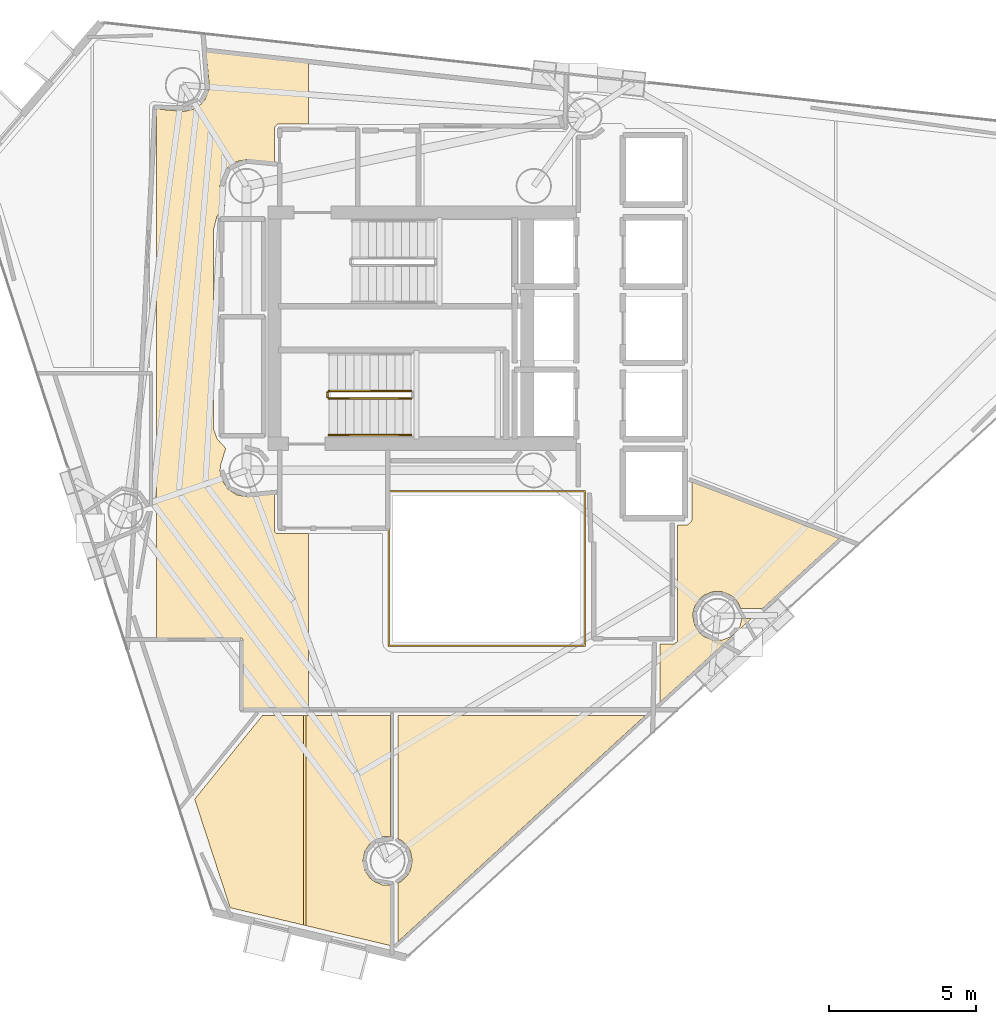
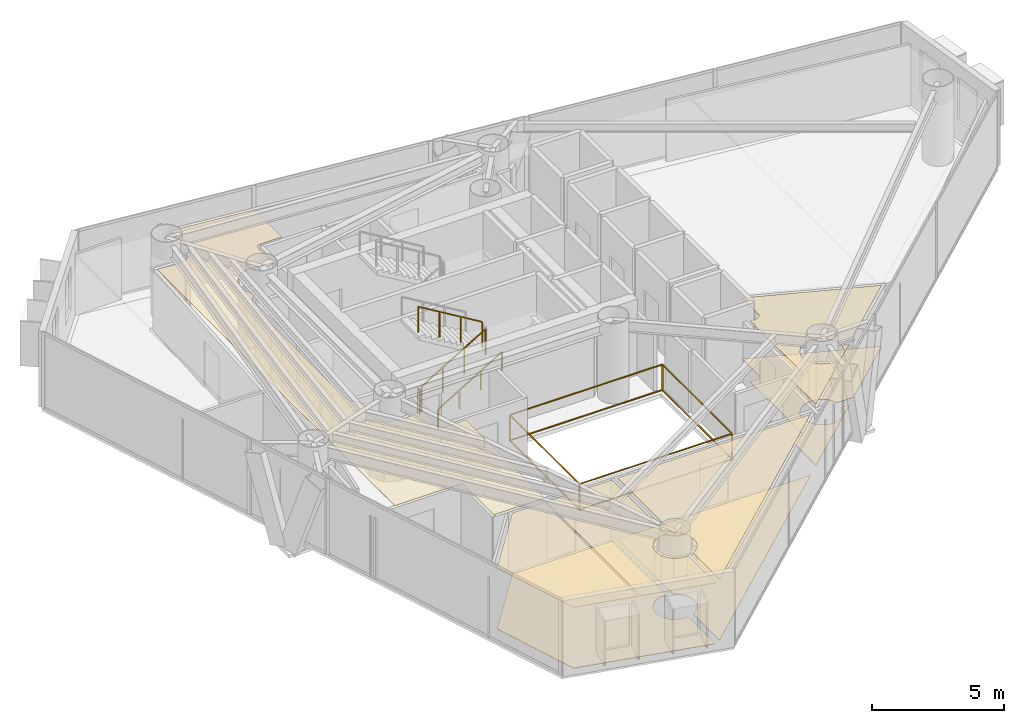
# One storey, part 22 of 24: 8 coverings, 5 railings.
"""IFC4 building model written with IfcOpenShell, lengths in metres."""

from ifc_helpers import new_model, si_unit, direction, frame, origin, origin_2d, place, context, subcontext, project, spatial, polyline, rectangle, outline, extrude, material, layer, layer_set, type_object, element, save


model = new_model("IFC4")

# Units and contexts
model_context = context("Model", 3, precision=1e-05, world=origin(), true_north=direction((0.0, 1.0)))
body_context = subcontext(model_context, "Body", "Model", "MODEL_VIEW")
ifc_project = project(units=[si_unit("LENGTHUNIT", "METRE"), si_unit("AREAUNIT", "SQUARE_METRE"), si_unit("VOLUMEUNIT", "CUBIC_METRE"), si_unit("PLANEANGLEUNIT", "RADIAN"), si_unit("MASSUNIT", "GRAM", prefix="KILO")], contexts=[model_context])

# Site, building, storey
site_placement = place(None, origin())
site = spatial("IfcSite", under=ifc_project, at=site_placement, CompositionType="ELEMENT")
building_placement = place(site_placement, origin())
building = spatial("IfcBuilding", under=site, at=building_placement, Name="Qianvela Tower", CompositionType="ELEMENT")
storey_placement = place(building_placement, frame((0.0, 0.0, 222.5)))
storey = spatial("IfcBuildingStorey", under=building, at=storey_placement, Name="L57", CompositionType="ELEMENT", Elevation=222.5)

# Coverings
ifc_material_1 = material(Name="Perforated Mineral Acoustic Ceiling Tile")
ifc_layer_1 = layer(ifc_material_1, 0.02490234375)
ifc_layer_set_1 = layer_set([ifc_layer_1], Name="Perforated Mineral Acoustic Ceiling Tile")
covering_type_1 = type_object("IfcCoveringType", Name="COV-CEIL-ACOUSTIC-25", PredefinedType="CEILING", material=ifc_layer_set_1)
covering_1_placement = place(storey_placement, frame((0.0, 0.0, 2.81494140625)))
element("IfcCovering", 1, at=covering_1_placement, inside=storey, type_object=covering_type_1, Name="L57 Acoustic Ceiling Bay 1 L57 Floor Corridor", PredefinedType="CEILING", context=body_context, shape_type="SweptSolid", body=[
    extrude(outline(polyline([(27.311767578125, 36.808837890625), (27.313720703125, 36.81640625), (27.31494140625, 36.82421875), (27.33056640625, 36.984130859375), (27.3310546875, 36.991943359375), (27.33056640625, 36.999755859375), (27.21923828125, 38.131103515625), (30.709716796875, 37.74755859375), (30.709716796875, 35.659423828125), (29.694091796875, 35.66162109375), (29.686767578125, 35.661376953125), (29.67919921875, 35.660400390625), (29.672119140625, 35.65869140625), (29.6650390625, 35.65625), (29.658203125, 35.6533203125), (29.651611328125, 35.649658203125), (29.6455078125, 35.6455078125), (29.639892578125, 35.640625), (29.634521484375, 35.635498046875), (29.57861328125, 35.57373046875), (29.573974609375, 35.568115234375), (29.56982421875, 35.56201171875), (29.56640625, 35.555419921875), (29.5634765625, 35.548828125), (29.56103515625, 35.541748046875), (29.559326171875, 35.53466796875), (29.558349609375, 35.52734375), (29.55810546875, 35.52001953125), (29.55810546875, 34.35595703125), (28.60791015625, 34.44970703125), (28.60009765625, 34.449951171875), (28.59228515625, 34.44970703125), (28.58447265625, 34.448486328125), (28.2705078125, 34.385986328125), (28.262939453125, 34.384033203125), (28.255615234375, 34.381591796875), (28.24853515625, 34.378173828125), (28.24169921875, 34.3740234375), (27.9755859375, 34.1962890625), (27.969482421875, 34.191650390625), (27.963623046875, 34.186279296875), (27.958251953125, 34.1806640625), (27.95361328125, 34.17431640625), (27.77587890625, 33.908203125), (27.77197265625, 33.901611328125), (27.7685546875, 33.894287109375), (27.765869140625, 33.886962890625), (27.763916015625, 33.87939453125), (27.701416015625, 33.565673828125), (27.700439453125, 33.557861328125), (27.699951171875, 33.550048828125), (27.700439453125, 33.542236328125), (27.716064453125, 33.382080078125), (27.71728515625, 33.37451171875), (27.71923828125, 33.36669921875), (27.865478515625, 32.884521484375), (27.60107421875, 32.52685546875), (27.5966796875, 32.5205078125), (27.593017578125, 32.513427734375), (27.590087890625, 32.50634765625), (27.587890625, 32.4990234375), (27.472412109375, 32.0458984375), (27.47119140625, 32.039306640625), (27.47021484375, 32.03271484375), (27.469970703125, 32.026123046875), (27.469970703125, 25.291259765625), (27.47021484375, 25.2841796875), (27.47119140625, 25.27734375), (27.47265625, 25.2705078125), (27.474853515625, 25.263916015625), (27.59326171875, 24.938232421875), (27.59619140625, 24.93115234375), (27.599853515625, 24.92431640625), (27.604248046875, 24.91796875), (27.609130859375, 24.911865234375), (27.89111328125, 24.599853515625), (27.71923828125, 24.033203125), (27.71728515625, 24.025634765625), (27.716064453125, 24.017822265625), (27.700439453125, 23.85791015625), (27.699951171875, 23.85009765625), (27.700439453125, 23.84228515625), (27.701416015625, 23.83447265625), (27.763916015625, 23.5205078125), (27.765869140625, 23.512939453125), (27.7685546875, 23.505615234375), (27.77197265625, 23.49853515625), (27.77587890625, 23.49169921875), (27.95361328125, 23.2255859375), (27.958251953125, 23.219482421875), (27.963623046875, 23.213623046875), (27.969482421875, 23.208251953125), (27.9755859375, 23.20361328125), (28.24169921875, 23.02587890625), (28.24853515625, 23.02197265625), (28.255615234375, 23.0185546875), (28.262939453125, 23.015869140625), (28.2705078125, 23.013916015625), (28.58447265625, 22.951416015625), (28.59228515625, 22.950439453125), (28.60009765625, 22.949951171875), (28.60791015625, 22.950439453125), (29.55810546875, 23.0439453125), (29.55810546875, 21.780029296875), (29.558349609375, 21.772216796875), (29.5595703125, 21.764404296875), (29.561279296875, 21.7568359375), (29.564208984375, 21.74951171875), (29.5673828125, 21.7421875), (29.571533203125, 21.735595703125), (29.576171875, 21.729248046875), (29.581298828125, 21.723388671875), (29.587158203125, 21.71826171875), (29.593505859375, 21.71337890625), (29.600341796875, 21.70947265625), (29.607421875, 21.7060546875), (29.61474609375, 21.703369140625), (29.622314453125, 21.701416015625), (29.630126953125, 21.700439453125), (29.637939453125, 21.699951171875), (30.709716796875, 21.699951171875), (30.709716796875, 15.72998046875), (28.47998046875, 15.72998046875), (28.47998046875, 18.050048828125), (28.4794921875, 18.057861328125), (28.478515625, 18.065673828125), (28.4765625, 18.0732421875), (28.473876953125, 18.08056640625), (28.470703125, 18.087646484375), (28.466552734375, 18.094482421875), (28.4619140625, 18.100830078125), (28.45654296875, 18.106689453125), (28.45068359375, 18.11181640625), (28.4443359375, 18.116455078125), (28.437744140625, 18.12060546875), (28.4306640625, 18.123779296875), (28.423095703125, 18.126708984375), (28.41552734375, 18.12841796875), (28.40771484375, 18.129638671875), (28.39990234375, 18.1298828125), (25.530029296875, 18.1298828125), (25.530029296875, 36.180419921875), (26.423095703125, 36.09228515625), (26.430908203125, 36.092041015625), (26.438720703125, 36.09228515625), (26.446533203125, 36.093505859375), (26.760498046875, 36.156005859375), (26.76806640625, 36.157958984375), (26.775390625, 36.160400390625), (26.782470703125, 36.163818359375), (26.789306640625, 36.16796875), (27.055419921875, 36.345703125), (27.0615234375, 36.350341796875), (27.0673828125, 36.355712890625), (27.07275390625, 36.361328125), (27.174560546875, 36.485595703125), (27.17919921875, 36.491943359375), (27.183349609375, 36.498779296875), (27.186767578125, 36.505859375), (27.30908203125, 36.801513671875), (27.311767578125, 36.808837890625)])), origin(), (0.0, 0.0, 1.0), 0.025146484375),
])
covering_2_placement = place(storey_placement, frame((0.0, 0.0, 2.81494140625)))
element("IfcCovering", 2, at=covering_2_placement, inside=storey, type_object=covering_type_1, Name="L57 Acoustic Ceiling Bay 1 Print Copy Kiosk L57-02", PredefinedType="CEILING", context=body_context, shape_type="SweptSolid", body=[
    extrude(outline(polyline([(28.041015625, 8.930419921875), (26.83251953125, 12.6328125), (29.146240234375, 15.489990234375), (30.547607421875, 15.489990234375), (30.547607421875, 8.337646484375), (28.041015625, 8.930419921875)])), origin(), (0.0, 0.0, 1.0), 0.025146484375),
])
covering_3_placement = place(storey_placement, frame((0.0, 0.0, 2.81494140625)))
element("IfcCovering", 3, at=covering_3_placement, inside=storey, type_object=covering_type_1, Name="L57 Acoustic Ceiling Bay 2 Print Copy Kiosk L57-02", PredefinedType="CEILING", context=body_context, shape_type="SweptSolid", body=[
    extrude(outline(polyline([(33.51708984375, 11.34814453125), (33.267333984375, 11.3564453125), (33.2587890625, 11.356201171875), (33.25048828125, 11.35498046875), (33.2421875, 11.35302734375), (33.234130859375, 11.350341796875), (32.960205078125, 11.23681640625), (32.953125, 11.2333984375), (32.9462890625, 11.2294921875), (32.93994140625, 11.224853515625), (32.82470703125, 11.130126953125), (32.819091796875, 11.125), (32.813720703125, 11.119140625), (32.80908203125, 11.11279296875), (32.644287109375, 10.8662109375), (32.640380859375, 10.859619140625), (32.636962890625, 10.8525390625), (32.63427734375, 10.84521484375), (32.63232421875, 10.83740234375), (32.574462890625, 10.546630859375), (32.573486328125, 10.538818359375), (32.572998046875, 10.531005859375), (32.573486328125, 10.523193359375), (32.574462890625, 10.515380859375), (32.63232421875, 10.224609375), (32.63427734375, 10.216796875), (32.636962890625, 10.20947265625), (32.640380859375, 10.202392578125), (32.644287109375, 10.19580078125), (32.80908203125, 9.94921875), (32.813720703125, 9.94287109375), (32.819091796875, 9.93701171875), (32.82470703125, 9.931884765625), (32.93994140625, 9.837158203125), (32.9462890625, 9.83251953125), (32.953125, 9.82861328125), (32.960205078125, 9.8251953125), (33.234130859375, 9.711669921875), (33.2421875, 9.708984375), (33.25048828125, 9.706787109375), (33.2587890625, 9.705810546875), (33.267333984375, 9.70556640625), (33.51708984375, 9.7138671875), (33.51708984375, 7.635498046875), (30.627685546875, 8.31884765625), (30.627685546875, 15.489990234375), (33.51708984375, 15.489990234375), (33.51708984375, 11.34814453125)])), origin(), (0.0, 0.0, 1.0), 0.025146484375),
])
covering_4_placement = place(storey_placement, frame((0.0, 0.0, 2.81494140625)))
element("IfcCovering", 4, at=covering_4_placement, inside=storey, type_object=covering_type_1, Name="L57 Acoustic Ceiling Campus Convenience Shop L57-03", PredefinedType="CEILING", context=body_context, shape_type="SweptSolid", body=[
    extrude(outline(polyline([(33.76123046875, 9.772705078125), (33.87109375, 9.827392578125), (33.87841796875, 9.831787109375), (33.885498046875, 9.8369140625), (33.891845703125, 9.842529296875), (34.1015625, 10.05224609375), (34.106689453125, 10.05810546875), (34.111328125, 10.064208984375), (34.115478515625, 10.071044921875), (34.185791015625, 10.202392578125), (34.189208984375, 10.20947265625), (34.191650390625, 10.216796875), (34.193603515625, 10.224609375), (34.25146484375, 10.515380859375), (34.252685546875, 10.523193359375), (34.2529296875, 10.531005859375), (34.252685546875, 10.538818359375), (34.25146484375, 10.546630859375), (34.193603515625, 10.83740234375), (34.191650390625, 10.84521484375), (34.189208984375, 10.8525390625), (34.185791015625, 10.859619140625), (34.115478515625, 10.990966796875), (34.111328125, 10.997802734375), (34.106689453125, 11.00390625), (34.1015625, 11.009765625), (33.891845703125, 11.219482421875), (33.885498046875, 11.22509765625), (33.87841796875, 11.230224609375), (33.87109375, 11.234619140625), (33.76123046875, 11.289306640625), (33.76123046875, 15.489990234375), (42.210205078125, 15.489990234375), (33.76123046875, 7.76611328125), (33.76123046875, 9.772705078125)])), origin(), (0.0, 0.0, 1.0), 0.025146484375),
])
covering_5_placement = place(storey_placement, frame((0.0, 0.0, 2.81494140625)))
element("IfcCovering", 5, at=covering_5_placement, inside=storey, type_object=covering_type_1, Name="L57 Acoustic Ceiling Student Bookshop Market L57-04", PredefinedType="CEILING", context=body_context, shape_type="SweptSolid", body=[
    extrude(outline(polyline([(43.2822265625, 18.005126953125), (43.2880859375, 18.010986328125), (43.293212890625, 18.017578125), (43.2978515625, 18.0244140625), (43.301513671875, 18.031982421875), (43.3046875, 18.039794921875), (43.306640625, 18.0478515625), (43.30810546875, 18.055908203125), (43.30859375, 18.064453125), (43.309326171875, 21.980712890625), (43.60791015625, 21.982666015625), (43.6162109375, 21.983154296875), (43.62451171875, 21.984619140625), (43.63232421875, 21.98681640625), (43.64013671875, 21.98974609375), (43.647705078125, 21.99365234375), (43.654541015625, 21.998046875), (43.660888671875, 22.00341796875), (43.767578125, 22.10009765625), (43.7734375, 22.10595703125), (43.77880859375, 22.1123046875), (43.783203125, 22.119384765625), (43.787109375, 22.126708984375), (43.7900390625, 22.134521484375), (43.792236328125, 22.142578125), (43.79345703125, 22.150634765625), (43.7939453125, 22.158935546875), (43.799560546875, 23.451171875), (48.8134765625, 21.526611328125), (46.19287109375, 19.130859375), (45.4599609375, 19.129150390625), (45.37255859375, 19.336181640625), (45.369384765625, 19.34326171875), (45.365234375, 19.349853515625), (45.36083984375, 19.35595703125), (45.26611328125, 19.47119140625), (45.260986328125, 19.47705078125), (45.255126953125, 19.482177734375), (45.139892578125, 19.576904296875), (45.1337890625, 19.581298828125), (45.126953125, 19.58544921875), (45.119873046875, 19.5888671875), (44.845947265625, 19.702392578125), (44.83837890625, 19.705078125), (44.830810546875, 19.706787109375), (44.822998046875, 19.7080078125), (44.815185546875, 19.70849609375), (44.518798828125, 19.70849609375), (44.510986328125, 19.7080078125), (44.503173828125, 19.706787109375), (44.49560546875, 19.705078125), (44.488037109375, 19.702392578125), (44.214111328125, 19.5888671875), (44.20703125, 19.58544921875), (44.2001953125, 19.581298828125), (44.194091796875, 19.576904296875), (44.078857421875, 19.482177734375), (44.072998046875, 19.47705078125), (44.06787109375, 19.47119140625), (44.06298828125, 19.46484375), (43.898193359375, 19.21826171875), (43.894287109375, 19.211669921875), (43.890869140625, 19.20458984375), (43.88818359375, 19.197021484375), (43.844970703125, 19.054443359375), (43.843017578125, 19.046875), (43.842041015625, 19.0390625), (43.827392578125, 18.890869140625), (43.826904296875, 18.883056640625), (43.827392578125, 18.875244140625), (43.82861328125, 18.867431640625), (43.886474609375, 18.57666015625), (43.88818359375, 18.56884765625), (43.890869140625, 18.5615234375), (43.894287109375, 18.554443359375), (43.898193359375, 18.547607421875), (44.06298828125, 18.30126953125), (44.06787109375, 18.294921875), (44.072998046875, 18.2890625), (44.078857421875, 18.28369140625), (44.194091796875, 18.189208984375), (44.2001953125, 18.1845703125), (44.20703125, 18.180419921875), (44.214111328125, 18.17724609375), (44.488037109375, 18.063720703125), (44.49560546875, 18.06103515625), (44.503173828125, 18.05908203125), (44.510986328125, 18.05810546875), (44.518798828125, 18.0576171875), (44.815185546875, 18.0576171875), (44.822998046875, 18.05810546875), (44.830810546875, 18.05908203125), (44.83837890625, 18.06103515625), (44.845947265625, 18.063720703125), (45.119873046875, 18.17724609375), (45.126953125, 18.180419921875), (45.1337890625, 18.1845703125), (45.139892578125, 18.189208984375), (45.145751953125, 18.194580078125), (45.35546875, 18.404296875), (45.36083984375, 18.409912109375), (45.365478515625, 18.416259765625), (45.369384765625, 18.423095703125), (45.439697265625, 18.554443359375), (45.443115234375, 18.561279296875), (45.445556640625, 18.568603515625), (45.447509765625, 18.576171875), (45.490966796875, 18.789306640625), (45.820068359375, 18.7900390625), (42.709716796875, 15.94677734375), (42.70751953125, 17.920166015625), (43.157958984375, 17.92041015625), (43.166259765625, 17.9208984375), (43.174560546875, 17.922119140625), (43.1826171875, 17.92431640625), (43.1904296875, 17.927490234375), (43.197998046875, 17.93115234375), (43.205078125, 17.935791015625), (43.211669921875, 17.941162109375), (43.2822265625, 18.005126953125)])), origin(), (0.0, 0.0, 1.0), 0.025146484375),
])
ifc_material_2 = material(Name="Engineered Acoustic Oak Timber Flooring", Category="wood")
ifc_layer_2 = layer(ifc_material_2, 0.02001953125)
ifc_layer_set_2 = layer_set([ifc_layer_2], Name="Engineered Acoustic Oak Timber Flooring")
covering_type_2 = type_object("IfcCoveringType", Name="COV-FLOOR-OAK-20", PredefinedType="FLOORING", material=ifc_layer_set_2)
covering_6_placement = place(storey_placement, origin())
element("IfcCovering", 6, at=covering_6_placement, inside=storey, type_object=covering_type_2, Name="L57 Finish Flooring Print Copy Kiosk L57-02", PredefinedType="FLOORING", context=body_context, shape_type="SweptSolid", body=[
    extrude(outline(polyline([(33.51708984375, 15.489990234375), (33.51708984375, 11.34814453125), (33.267333984375, 11.3564453125), (33.2587890625, 11.356201171875), (33.25048828125, 11.35498046875), (33.2421875, 11.35302734375), (33.234130859375, 11.350341796875), (32.960205078125, 11.23681640625), (32.953125, 11.2333984375), (32.9462890625, 11.2294921875), (32.93994140625, 11.224853515625), (32.82470703125, 11.130126953125), (32.819091796875, 11.125), (32.813720703125, 11.119140625), (32.80908203125, 11.11279296875), (32.644287109375, 10.8662109375), (32.640380859375, 10.859619140625), (32.636962890625, 10.8525390625), (32.63427734375, 10.84521484375), (32.63232421875, 10.83740234375), (32.574462890625, 10.546630859375), (32.573486328125, 10.538818359375), (32.572998046875, 10.531005859375), (32.573486328125, 10.523193359375), (32.574462890625, 10.515380859375), (32.63232421875, 10.224609375), (32.63427734375, 10.216796875), (32.636962890625, 10.20947265625), (32.640380859375, 10.202392578125), (32.644287109375, 10.19580078125), (32.80908203125, 9.94921875), (32.813720703125, 9.94287109375), (32.819091796875, 9.93701171875), (32.82470703125, 9.931884765625), (32.93994140625, 9.837158203125), (32.9462890625, 9.83251953125), (32.953125, 9.82861328125), (32.960205078125, 9.8251953125), (33.234130859375, 9.711669921875), (33.2421875, 9.708984375), (33.25048828125, 9.706787109375), (33.2587890625, 9.705810546875), (33.267333984375, 9.70556640625), (33.51708984375, 9.7138671875), (33.51708984375, 7.635498046875), (28.041015625, 8.930419921875), (26.83251953125, 12.6328125), (29.146240234375, 15.489990234375), (33.51708984375, 15.489990234375)])), origin(), (0.0, 0.0, 1.0), 0.02001953125),
])
covering_7_placement = place(storey_placement, origin())
element("IfcCovering", 7, at=covering_7_placement, inside=storey, type_object=covering_type_2, Name="L57 Finish Flooring Campus Convenience Shop L57-03", PredefinedType="FLOORING", context=body_context, shape_type="SweptSolid", body=[
    extrude(outline(polyline([(33.76123046875, 9.772705078125), (33.87109375, 9.827392578125), (33.87841796875, 9.831787109375), (33.885498046875, 9.8369140625), (33.891845703125, 9.842529296875), (34.1015625, 10.05224609375), (34.106689453125, 10.05810546875), (34.111328125, 10.064208984375), (34.115478515625, 10.071044921875), (34.185791015625, 10.202392578125), (34.189208984375, 10.20947265625), (34.191650390625, 10.216796875), (34.193603515625, 10.224609375), (34.25146484375, 10.515380859375), (34.252685546875, 10.523193359375), (34.2529296875, 10.531005859375), (34.252685546875, 10.538818359375), (34.25146484375, 10.546630859375), (34.193603515625, 10.83740234375), (34.191650390625, 10.84521484375), (34.189208984375, 10.8525390625), (34.185791015625, 10.859619140625), (34.115478515625, 10.990966796875), (34.111328125, 10.997802734375), (34.106689453125, 11.00390625), (34.1015625, 11.009765625), (33.891845703125, 11.219482421875), (33.885498046875, 11.22509765625), (33.87841796875, 11.230224609375), (33.87109375, 11.234619140625), (33.76123046875, 11.289306640625), (33.76123046875, 15.489990234375), (42.210205078125, 15.489990234375), (33.76123046875, 7.76611328125), (33.76123046875, 9.772705078125)])), origin(), (0.0, 0.0, 1.0), 0.02001953125),
])
covering_8_placement = place(storey_placement, origin())
element("IfcCovering", 8, at=covering_8_placement, inside=storey, type_object=covering_type_2, Name="L57 Finish Flooring Student Bookshop Market L57-04", PredefinedType="FLOORING", context=body_context, shape_type="SweptSolid", body=[
    extrude(outline(polyline([(43.2822265625, 18.005126953125), (43.2880859375, 18.010986328125), (43.293212890625, 18.017578125), (43.2978515625, 18.0244140625), (43.301513671875, 18.031982421875), (43.3046875, 18.039794921875), (43.306640625, 18.0478515625), (43.30810546875, 18.055908203125), (43.30859375, 18.064453125), (43.309326171875, 21.980712890625), (43.60791015625, 21.982666015625), (43.6162109375, 21.983154296875), (43.62451171875, 21.984619140625), (43.63232421875, 21.98681640625), (43.64013671875, 21.98974609375), (43.647705078125, 21.99365234375), (43.654541015625, 21.998046875), (43.660888671875, 22.00341796875), (43.767578125, 22.10009765625), (43.7734375, 22.10595703125), (43.77880859375, 22.1123046875), (43.783203125, 22.119384765625), (43.787109375, 22.126708984375), (43.7900390625, 22.134521484375), (43.792236328125, 22.142578125), (43.79345703125, 22.150634765625), (43.7939453125, 22.158935546875), (43.799560546875, 23.451171875), (48.8134765625, 21.526611328125), (46.19287109375, 19.130859375), (45.4599609375, 19.129150390625), (45.37255859375, 19.336181640625), (45.369384765625, 19.34326171875), (45.365234375, 19.349853515625), (45.36083984375, 19.35595703125), (45.26611328125, 19.47119140625), (45.260986328125, 19.47705078125), (45.255126953125, 19.482177734375), (45.139892578125, 19.576904296875), (45.1337890625, 19.581298828125), (45.126953125, 19.58544921875), (45.119873046875, 19.5888671875), (44.845947265625, 19.702392578125), (44.83837890625, 19.705078125), (44.830810546875, 19.706787109375), (44.822998046875, 19.7080078125), (44.815185546875, 19.70849609375), (44.518798828125, 19.70849609375), (44.510986328125, 19.7080078125), (44.503173828125, 19.706787109375), (44.49560546875, 19.705078125), (44.488037109375, 19.702392578125), (44.214111328125, 19.5888671875), (44.20703125, 19.58544921875), (44.2001953125, 19.581298828125), (44.194091796875, 19.576904296875), (44.078857421875, 19.482177734375), (44.072998046875, 19.47705078125), (44.06787109375, 19.47119140625), (44.06298828125, 19.46484375), (43.898193359375, 19.21826171875), (43.894287109375, 19.211669921875), (43.890869140625, 19.20458984375), (43.88818359375, 19.197021484375), (43.844970703125, 19.054443359375), (43.843017578125, 19.046875), (43.842041015625, 19.0390625), (43.827392578125, 18.890869140625), (43.826904296875, 18.883056640625), (43.827392578125, 18.875244140625), (43.82861328125, 18.867431640625), (43.886474609375, 18.57666015625), (43.88818359375, 18.56884765625), (43.890869140625, 18.5615234375), (43.894287109375, 18.554443359375), (43.898193359375, 18.547607421875), (44.06298828125, 18.30126953125), (44.06787109375, 18.294921875), (44.072998046875, 18.2890625), (44.078857421875, 18.28369140625), (44.194091796875, 18.189208984375), (44.2001953125, 18.1845703125), (44.20703125, 18.180419921875), (44.214111328125, 18.17724609375), (44.488037109375, 18.063720703125), (44.49560546875, 18.06103515625), (44.503173828125, 18.05908203125), (44.510986328125, 18.05810546875), (44.518798828125, 18.0576171875), (44.815185546875, 18.0576171875), (44.822998046875, 18.05810546875), (44.830810546875, 18.05908203125), (44.83837890625, 18.06103515625), (44.845947265625, 18.063720703125), (45.119873046875, 18.17724609375), (45.126953125, 18.180419921875), (45.1337890625, 18.1845703125), (45.139892578125, 18.189208984375), (45.145751953125, 18.194580078125), (45.35546875, 18.404296875), (45.36083984375, 18.409912109375), (45.365478515625, 18.416259765625), (45.369384765625, 18.423095703125), (45.439697265625, 18.554443359375), (45.443115234375, 18.561279296875), (45.445556640625, 18.568603515625), (45.447509765625, 18.576171875), (45.490966796875, 18.789306640625), (45.820068359375, 18.7900390625), (42.709716796875, 15.94677734375), (42.70751953125, 17.920166015625), (43.157958984375, 17.92041015625), (43.166259765625, 17.9208984375), (43.174560546875, 17.922119140625), (43.1826171875, 17.92431640625), (43.1904296875, 17.927490234375), (43.197998046875, 17.93115234375), (43.205078125, 17.935791015625), (43.211669921875, 17.941162109375), (43.2822265625, 18.005126953125)])), origin(), (0.0, 0.0, 1.0), 0.02001953125),
])

# Railings
ifc_material_3 = material(Name="Laminated Safety Glass and Stainless Steel 316", Category="steel")
railing_type_1 = type_object("IfcRailingType", Name="RL-ATRIUM-GUARD-1250", PredefinedType="GUARDRAIL", material=ifc_material_3)
railing_1_placement = place(storey_placement, frame((33.4599609375, 17.860107421875, 0.0)))
element("IfcRailing", 9, at=railing_1_placement, inside=storey, type_object=railing_type_1, Name="L57 Atrium Edge Guardrail 1", PredefinedType="GUARDRAIL", context=body_context, shape_type="SweptSolid", body=[
    extrude(rectangle(XDim=0.050048828125, YDim=0.0400390625, at=origin_2d()), frame((0.0, 0.0, 1.22998046875), z_axis=(0.0, 1.0, 0.0), x_axis=(-1.0, 0.0, 0.0)), (0.0, 0.0, 1.0), 5.27978515625),
    extrude(rectangle(XDim=0.050048828125, YDim=0.0400390625, at=origin_2d()), frame((0.0, 0.0, 0.050048828125), z_axis=(0.0, 1.0, 0.0), x_axis=(-1.0, 0.0, 0.0)), (0.0, 0.0, 1.0), 5.27978515625),
    extrude(rectangle(XDim=0.050048828125, YDim=0.0400390625, at=origin_2d()), frame((0.0, 5.27978515625, 1.22998046875), z_axis=(1.0, 0.0, 0.0), x_axis=(0.0, 1.0, 0.0)), (0.0, 0.0, 1.0), 6.679931640625),
    extrude(rectangle(XDim=0.050048828125, YDim=0.0400390625, at=origin_2d()), frame((0.0, 5.27978515625, 0.050048828125), z_axis=(1.0, 0.0, 0.0), x_axis=(0.0, 1.0, 0.0)), (0.0, 0.0, 1.0), 6.679931640625),
    extrude(rectangle(XDim=0.050048828125, YDim=0.0400390625, at=origin_2d()), frame((6.679931640625, 5.27978515625, 1.22998046875), z_axis=(0.0, -1.0, 0.0), x_axis=(1.0, 0.0, 0.0)), (0.0, 0.0, 1.0), 5.27978515625),
    extrude(rectangle(XDim=0.050048828125, YDim=0.0400390625, at=origin_2d()), frame((6.679931640625, 5.27978515625, 0.050048828125), z_axis=(0.0, -1.0, 0.0), x_axis=(1.0, 0.0, 0.0)), (0.0, 0.0, 1.0), 5.27978515625),
    extrude(rectangle(XDim=0.050048828125, YDim=0.0400390625, at=origin_2d()), frame((6.679931640625, 0.0, 1.22998046875), z_axis=(-1.0, 0.0, 0.0), x_axis=(0.0, -1.0, 0.0)), (0.0, 0.0, 1.0), 6.679931640625),
    extrude(rectangle(XDim=0.050048828125, YDim=0.0400390625, at=origin_2d()), frame((6.679931640625, 0.0, 0.050048828125), z_axis=(-1.0, 0.0, 0.0), x_axis=(0.0, -1.0, 0.0)), (0.0, 0.0, 1.0), 6.679931640625),
    extrude(rectangle(XDim=0.050048828125, YDim=0.050048828125, at=origin_2d()), origin(), (0.0, 0.0, 1.0), 1.2099609375),
    extrude(rectangle(XDim=0.050048828125, YDim=0.050048828125, at=origin_2d()), frame((0.0, 5.27978515625, 0.0)), (0.0, 0.0, 1.0), 1.2099609375),
    extrude(rectangle(XDim=0.050048828125, YDim=0.050048828125, at=origin_2d()), frame((6.679931640625, 5.27978515625, 0.0)), (0.0, 0.0, 1.0), 1.2099609375),
    extrude(rectangle(XDim=0.050048828125, YDim=0.050048828125, at=origin_2d()), frame((6.679931640625, 0.0, 0.0)), (0.0, 0.0, 1.0), 1.2099609375),
])
ifc_material_4 = material(Name="Painted Tubular Steel Q355B", Category="steel")
railing_type_2 = type_object("IfcRailingType", Name="RL-STAIR-GUARD-1200", PredefinedType="GUARDRAIL", material=ifc_material_4)
railing_2_placement = place(storey_placement, frame((31.419921875, 26.300048828125, 0.168212890625)))
element("IfcRailing", 10, at=railing_2_placement, inside=storey, type_object=railing_type_2, Name="L57 ST-2 stair guard 1", PredefinedType="GUARDRAIL", context=body_context, shape_type="SweptSolid", body=[
    extrude(rectangle(XDim=0.050048828125, YDim=0.0400390625, at=origin_2d()), frame((0.0, 0.0, 1.179931640625), z_axis=(0.857242210791, 0.0, 0.514913383045), x_axis=(0.0, 1.0, 0.0)), (0.0, 0.0, 1.0), 3.266357421875),
    extrude(rectangle(XDim=0.050048828125, YDim=0.050048828125, at=origin_2d()), origin(), (0.0, 0.0, 1.0), 1.159912109375),
    extrude(rectangle(XDim=0.050048828125, YDim=0.050048828125, at=origin_2d()), frame((0.933349609375, 0.0, 0.560546875)), (0.0, 0.0, 1.0), 1.159912109375),
    extrude(rectangle(XDim=0.050048828125, YDim=0.050048828125, at=origin_2d()), frame((1.86669921875, 0.0, 1.121337890625)), (0.0, 0.0, 1.0), 1.159912109375),
    extrude(rectangle(XDim=0.050048828125, YDim=0.050048828125, at=origin_2d()), frame((2.800048828125, 0.0, 1.681884765625)), (0.0, 0.0, 1.0), 1.159912109375),
])
railing_3_placement = place(storey_placement, frame((34.219970703125, 26.56005859375, 2.01806640625)))
element("IfcRailing", 11, at=railing_3_placement, inside=storey, type_object=railing_type_2, Name="L57 ST-2 stair guard 3", PredefinedType="GUARDRAIL", context=body_context, shape_type="SweptSolid", body=[
    extrude(rectangle(XDim=0.050048828125, YDim=0.0400390625, at=origin_2d()), frame((0.0, 0.0, 1.179931640625), z_axis=(-0.857242210791, 0.0, 0.514913383045), x_axis=(0.0, -1.0, 0.0)), (0.0, 0.0, 1.0), 3.266357421875),
    extrude(rectangle(XDim=0.050048828125, YDim=0.050048828125, at=origin_2d()), origin(), (0.0, 0.0, 1.0), 1.159912109375),
    extrude(rectangle(XDim=0.050048828125, YDim=0.050048828125, at=origin_2d()), frame((-0.933349609375, 0.0, 0.560546875)), (0.0, 0.0, 1.0), 1.159912109375),
    extrude(rectangle(XDim=0.050048828125, YDim=0.050048828125, at=origin_2d()), frame((-1.86669921875, 0.0, 1.121337890625)), (0.0, 0.0, 1.0), 1.159912109375),
    extrude(rectangle(XDim=0.050048828125, YDim=0.050048828125, at=origin_2d()), frame((-2.800048828125, 0.0, 1.681884765625)), (0.0, 0.0, 1.0), 1.159912109375),
])
railing_4_placement = place(storey_placement, frame((31.3701171875, 26.35009765625, 0.0)))
element("IfcRailing", 12, at=railing_4_placement, inside=storey, type_object=railing_type_2, Name="L57 ST-2 stair guard 4", PredefinedType="GUARDRAIL", context=body_context, shape_type="SweptSolid", body=[
    extrude(rectangle(XDim=0.050048828125, YDim=0.0400390625, at=origin_2d()), frame((0.0, 0.0, 1.179931640625), z_axis=(0.0, 1.0, 0.0), x_axis=(-1.0, 0.0, 0.0)), (0.0, 0.0, 1.0), 0.159912109375),
    extrude(rectangle(XDim=0.050048828125, YDim=0.050048828125, at=origin_2d()), origin(), (0.0, 0.0, 1.0), 1.159912109375),
    extrude(rectangle(XDim=0.050048828125, YDim=0.050048828125, at=origin_2d()), frame((0.0, 0.159912109375, 0.0)), (0.0, 0.0, 1.0), 1.159912109375),
])
ifc_material_5 = material(Name="Brushed Stainless Steel 304", Category="steel")
railing_type_3 = type_object("IfcRailingType", Name="RL-STAIR-HANDRAIL-900", PredefinedType="HANDRAIL", material=ifc_material_5)
railing_5_placement = place(storey_placement, frame((31.419921875, 25.050048828125, 0.168212890625)))
element("IfcRailing", 13, at=railing_5_placement, inside=storey, type_object=railing_type_3, Name="L57 ST-2 stair handrail 1", PredefinedType="HANDRAIL", context=body_context, shape_type="SweptSolid", body=[
    extrude(rectangle(XDim=0.050048828125, YDim=0.0400390625, at=origin_2d()), frame((0.0, 0.0, 0.8798828125), z_axis=(0.857242210791, 0.0, 0.514913383045), x_axis=(0.0, 1.0, 0.0)), (0.0, 0.0, 1.0), 3.266357421875),
    extrude(rectangle(XDim=0.050048828125, YDim=0.050048828125, at=origin_2d()), origin(), (0.0, 0.0, 1.0), 0.85986328125),
    extrude(rectangle(XDim=0.050048828125, YDim=0.050048828125, at=origin_2d()), frame((0.933349609375, 0.0, 0.560546875)), (0.0, 0.0, 1.0), 0.85986328125),
    extrude(rectangle(XDim=0.050048828125, YDim=0.050048828125, at=origin_2d()), frame((1.86669921875, 0.0, 1.121337890625)), (0.0, 0.0, 1.0), 0.85986328125),
    extrude(rectangle(XDim=0.050048828125, YDim=0.050048828125, at=origin_2d()), frame((2.800048828125, 0.0, 1.681884765625)), (0.0, 0.0, 1.0), 0.85986328125),
])

save(model, "model.ifc")
